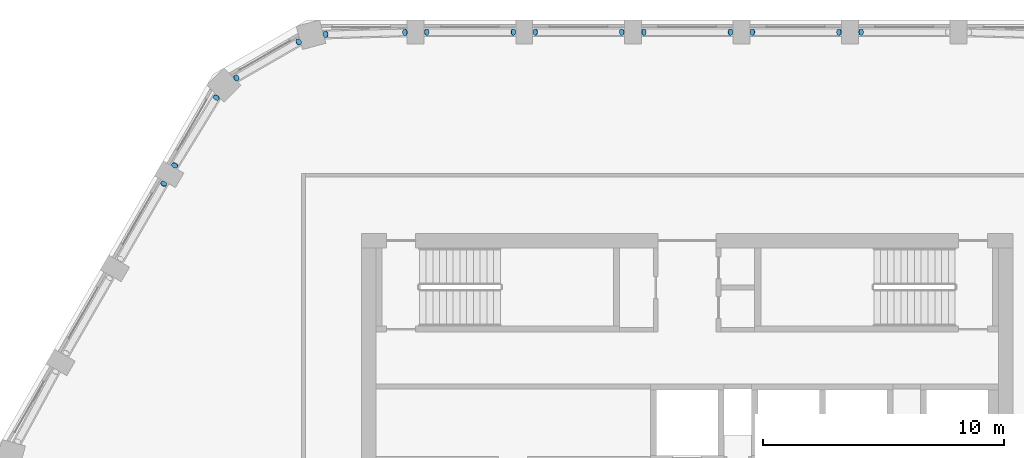
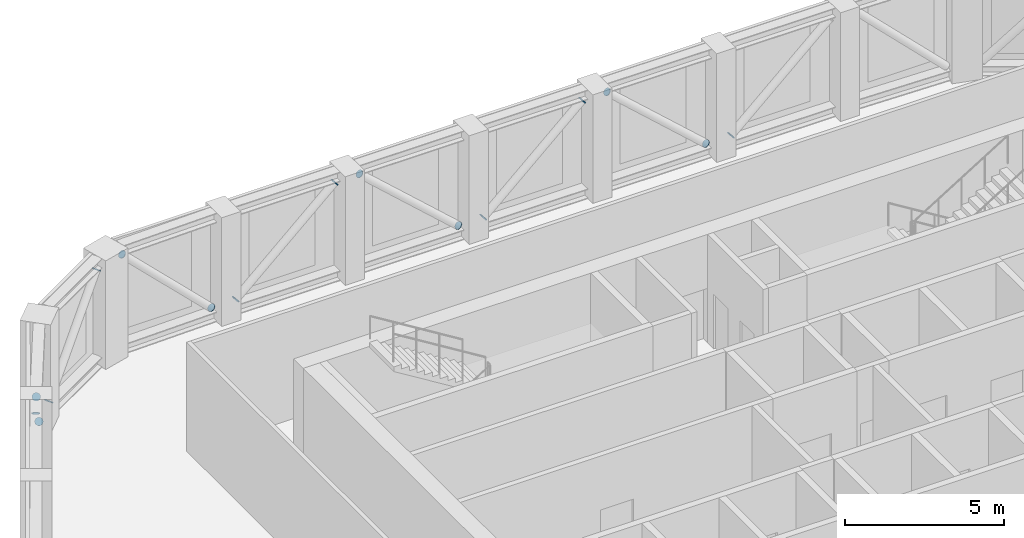
# One storey, part 12 of 14: 16 discrete accessories.
"""IFC4 building model written with IfcOpenShell, lengths in metres."""

from ifc_helpers import new_model, si_unit, direction, frame, origin, origin_2d, place, context, subcontext, project, spatial, circle, extrude, material, material_profile, profile_set, type_object, element, save


model = new_model("IFC4")

# Units and contexts
model_context = context("Model", 3, precision=1e-05, world=origin(), true_north=direction((0.0, 1.0)))
body_context = subcontext(model_context, "Body", "Model", "MODEL_VIEW")
ifc_project = project(units=[si_unit("LENGTHUNIT", "METRE"), si_unit("AREAUNIT", "SQUARE_METRE"), si_unit("VOLUMEUNIT", "CUBIC_METRE"), si_unit("PLANEANGLEUNIT", "RADIAN"), si_unit("MASSUNIT", "GRAM", prefix="KILO")], contexts=[model_context])

# Site, building, storey
site_placement = place(None, origin())
site = spatial("IfcSite", under=ifc_project, at=site_placement, CompositionType="ELEMENT")
building_placement = place(site_placement, origin())
building = spatial("IfcBuilding", under=site, at=building_placement, Name="Dhurran Vertical Campus", CompositionType="ELEMENT")
storey_placement = place(building_placement, frame((0.0, 0.0, 282.0)))
storey = spatial("IfcBuildingStorey", under=building, at=storey_placement, Name="L70 Plant", CompositionType="ELEMENT", Elevation=282.0)

# Discrete accessories
ifc_material = material(Name="Steel S355J2", Category="steel")
ifc_material_profile = material_profile(ifc_material, circle(Radius=0.136474609375, at=origin_2d()), Name="Tube end cap 273 x 20")
ifc_profile_set = profile_set([ifc_material_profile], Name="Steel S355J2")
discrete_accessory_type = type_object("IfcDiscreteAccessoryType", Name="Tube end cap 273 x 20", PredefinedType="USERDEFINED", material=ifc_profile_set)
for number, where, z_axis, x_axis, name in (
    (1, (7.212158203125, 19.58837890625, 0.473388671875), (-0.737154140201, 0.0, -0.675724628517), (0.0, -1.0, 0.0), "EC1 belt L70 d19 capA"),
    (2, (6.287841796875, 19.58837890625, 0.473388671875), (0.737154140201, 0.0, -0.675724628517), (0.0, 1.0, 0.0), "EC1 belt L70 d20 capA"),
    (3, (2.712158203125, 19.58837890625, 3.70166015625), (-0.737154140201, 0.0, 0.675724628517), (0.0, -1.0, 0.0), "EC1 belt L70 d20 capB"),
    (4, (-1.787841796875, 19.58837890625, 0.473388671875), (-0.737154140201, 0.0, -0.675724628517), (0.0, -1.0, 0.0), "EC1 belt L70 d21 capA"),
    (5, (1.787841796875, 19.58837890625, 3.70166015625), (0.737154140201, 0.0, 0.675724628517), (0.0, 1.0, 0.0), "EC1 belt L70 d21 capB"),
    (6, (-2.712158203125, 19.58837890625, 0.473388671875), (0.737154140201, 0.0, -0.675724628517), (0.0, 1.0, 0.0), "EC1 belt L70 d22 capA"),
    (7, (-6.287841796875, 19.58837890625, 3.70166015625), (-0.737154140201, 0.0, 0.675724628517), (0.0, -1.0, 0.0), "EC1 belt L70 d22 capB"),
    (8, (-10.787841796875, 19.58837890625, 0.473388671875), (-0.737154140201, 0.0, -0.675724628517), (0.0, -1.0, 0.0), "EC1 belt L70 d23 capA"),
    (9, (-7.212158203125, 19.58837890625, 3.70166015625), (0.737154140201, 0.0, 0.675724628517), (0.0, 1.0, 0.0), "EC1 belt L70 d23 capB"),
    (10, (-11.6982421875, 19.576904296875, 0.468994140625), (0.713174651018, 0.012296114673, -0.700878536345), (-0.017238817251, 0.999851400549, 0.0), "EC1 belt L70 d24 capA"),
):
    element("IfcDiscreteAccessory", number, at=place(storey_placement, frame(where, z_axis=z_axis, x_axis=x_axis)), inside=storey, type_object=discrete_accessory_type, Name=name, ObjectType="END CAP", PredefinedType="USERDEFINED", context=body_context, shape_type="SweptSolid", body=[
        extrude(circle(Radius=0.136474609375, at=origin_2d()), origin(), (0.0, 0.0, 1.0), 0.019775390625),
    ])
discrete_accessory_1_placement = place(storey_placement, frame((-14.9736328125, 19.491943359375, 3.705810546875), z_axis=(-0.707054237491, -0.012190590302, 0.707054237491), x_axis=(0.017238817251, -0.999851400549, 0.0)))
element("IfcDiscreteAccessory", 11, at=discrete_accessory_1_placement, inside=storey, type_object=discrete_accessory_type, Name="EC1 belt L70 d24 capB", ObjectType="END CAP", PredefinedType="USERDEFINED", context=body_context, shape_type="SweptSolid", body=[
    extrude(circle(Radius=0.136474609375, at=origin_2d()), origin(), (0.0, 0.0, 1.0), 0.02001953125),
])
discrete_accessory_2_placement = place(storey_placement, frame((-18.677490234375, 17.691162109375, 0.464111328125), z_axis=(-0.581700678397, -0.339325395732, -0.73924461213), x_axis=(0.503871025524, -0.863778900898, 0.0)))
element("IfcDiscreteAccessory", 12, at=discrete_accessory_2_placement, inside=storey, type_object=discrete_accessory_type, Name="EC1 belt L70 d25 capA", ObjectType="END CAP", PredefinedType="USERDEFINED", context=body_context, shape_type="SweptSolid", body=[
    extrude(circle(Radius=0.136474609375, at=origin_2d()), origin(), (0.0, 0.0, 1.0), 0.020263671875),
])
for number, where, z_axis, x_axis, name in (
    (13, (-16.107177734375, 19.17529296875, 3.7109375), (0.589367574947, 0.331519260908, 0.736709468684), (-0.490261239633, 0.871575537125, 0.0), "EC1 belt L70 d25 capB"),
    (14, (-19.518798828125, 16.867919921875, 0.468994140625), (0.381266032616, 0.602646309619, -0.701037543842), (-0.845078836052, 0.534641712604, 0.0), "EC1 belt L70 d26 capA"),
):
    element("IfcDiscreteAccessory", number, at=place(storey_placement, frame(where, z_axis=z_axis, x_axis=x_axis)), inside=storey, type_object=discrete_accessory_type, Name=name, ObjectType="END CAP", PredefinedType="USERDEFINED", context=body_context, shape_type="SweptSolid", body=[
        extrude(circle(Radius=0.136474609375, at=origin_2d()), origin(), (0.0, 0.0, 1.0), 0.019775390625),
    ])
for number, where, z_axis, x_axis, name in (
    (15, (-21.22998046875, 14.07373046875, 3.705810546875), (-0.364770287314, -0.607950478857, 0.705222555474), (0.857492925713, -0.514495755428, 0.0), "EC1 belt L70 d26 capB"),
    (16, (-21.6953125, 13.291015625, 3.70166015625), (0.376068504711, 0.642955830635, 0.66721831481), (-0.863187603129, 0.504883315038, 0.0), "EC1 belt L70 d27 capB"),
):
    element("IfcDiscreteAccessory", number, at=place(storey_placement, frame(where, z_axis=z_axis, x_axis=x_axis)), inside=storey, type_object=discrete_accessory_type, Name=name, ObjectType="END CAP", PredefinedType="USERDEFINED", context=body_context, shape_type="SweptSolid", body=[
        extrude(circle(Radius=0.136474609375, at=origin_2d()), origin(), (0.0, 0.0, 1.0), 0.02001953125),
    ])

save(model, "model.ifc")
